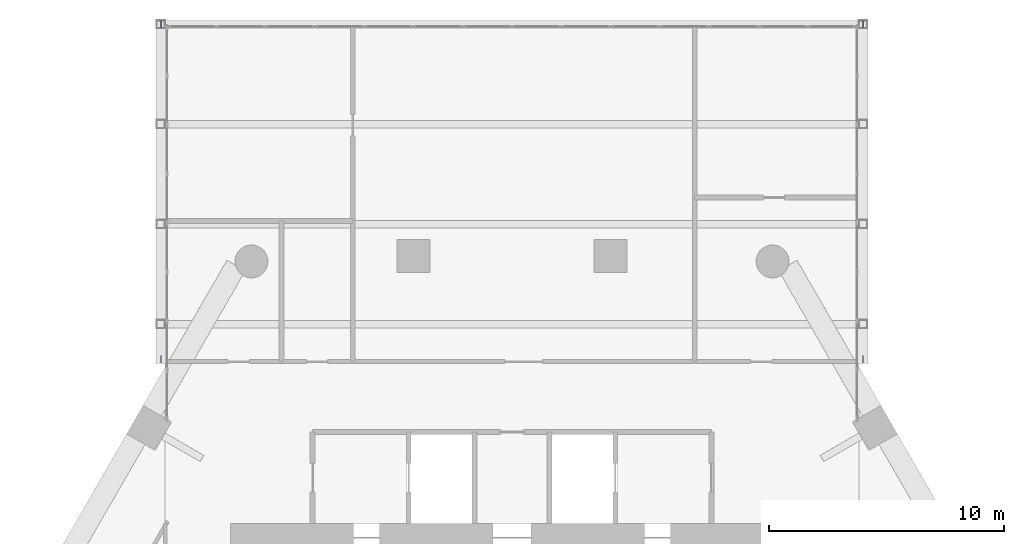
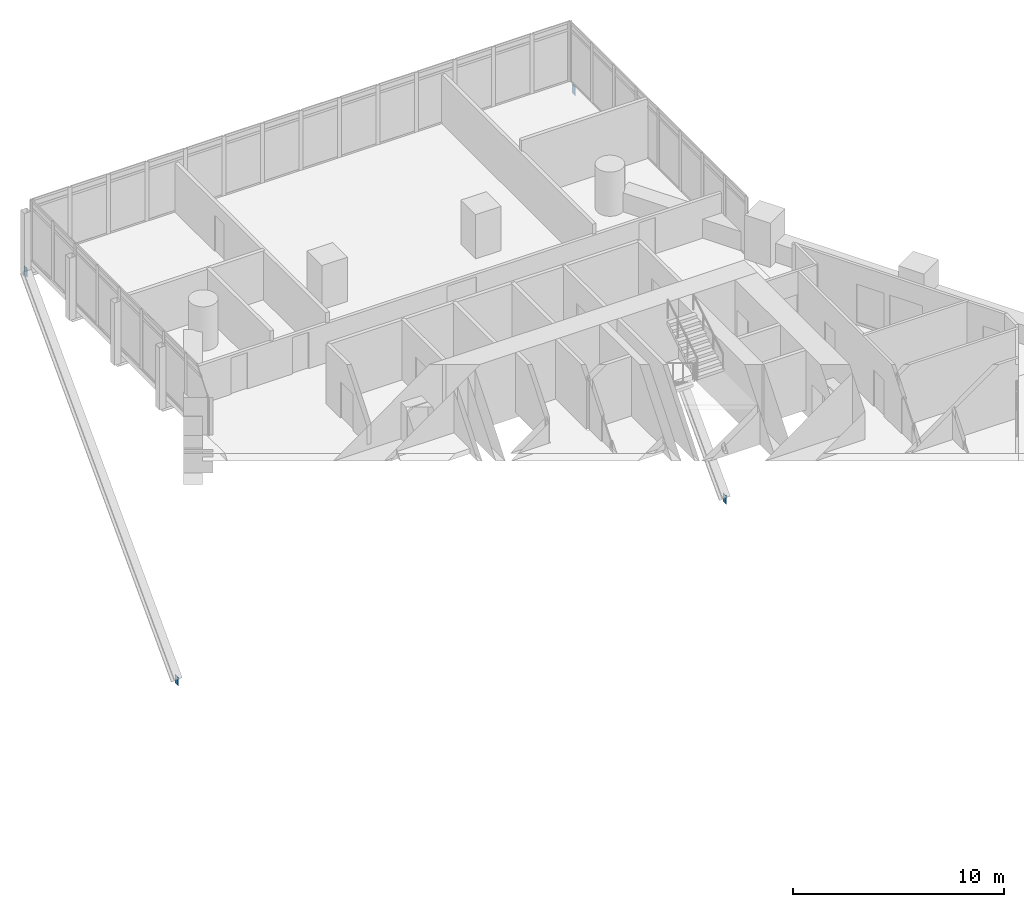
# One storey, part 37 of 38: 4 discrete accessories.
"""IFC4 building model written with IfcOpenShell, lengths in metres."""

from ifc_helpers import new_model, si_unit, direction, frame, origin, origin_2d, place, context, subcontext, project, spatial, rectangle, extrude, material, layer, layer_set, type_object, element, save


model = new_model("IFC4")

# Units and contexts
model_context = context("Model", 3, precision=1e-05, world=origin(), true_north=direction((0.0, 1.0)))
body_context = subcontext(model_context, "Body", "Model", "MODEL_VIEW")
ifc_project = project(units=[si_unit("LENGTHUNIT", "METRE"), si_unit("AREAUNIT", "SQUARE_METRE"), si_unit("VOLUMEUNIT", "CUBIC_METRE"), si_unit("PLANEANGLEUNIT", "RADIAN"), si_unit("MASSUNIT", "GRAM", prefix="KILO")], contexts=[model_context])

# Site, building, storey
site_placement = place(None, origin())
site = spatial("IfcSite", under=ifc_project, at=site_placement, CompositionType="ELEMENT")
building_placement = place(site_placement, origin())
building = spatial("IfcBuilding", under=site, at=building_placement, Name="Ostrander Bayou Hotel Tower", CompositionType="ELEMENT")
storey_placement = place(building_placement, frame((0.0, 0.0, 65.5)))
storey = spatial("IfcBuildingStorey", under=building, at=storey_placement, Name="L16", CompositionType="ELEMENT", Elevation=65.5)

# Discrete accessories
ifc_material = material(Name="Steel ASTM A572 Gr 50", Category="steel")
ifc_layer = layer(ifc_material, 0.030029296875)
ifc_layer_set = layer_set([ifc_layer], Name="GP1 gusset plate 30 mm")
discrete_accessory_type = type_object("IfcDiscreteAccessoryType", Name="GP1 gusset plate 30 mm", PredefinedType="BRACKET", material=ifc_layer_set)
for number, where, z_axis, x_axis, name in (
    (1, (-14.965087890625, 30.986083984375, -0.921875), (0.0, 0.0, 1.0), (0.0, -1.0, 0.0), "GP1 gusset plate bar 53"),
    (2, (-14.965087890625, 16.697998046875, -15.85009765625), (0.0, 0.0, 1.0), (0.0, -1.0, 0.0), "GP1 gusset plate bar 54"),
    (3, (14.965087890625, 30.986083984375, -0.921875), (0.0, 0.0, 1.0), (0.0, -1.0, 0.0), "GP1 gusset plate bar 55"),
    (4, (14.965087890625, 16.697998046875, -15.85009765625), (0.0, 0.0, 1.0), (0.0, -1.0, 0.0), "GP1 gusset plate bar 56"),
):
    element("IfcDiscreteAccessory", number, at=place(storey_placement, frame(where, z_axis=z_axis, x_axis=x_axis)), inside=storey, type_object=discrete_accessory_type, Name=name, PredefinedType="BRACKET", context=body_context, shape_type="SweptSolid", body=[
        extrude(rectangle(XDim=0.300048828125, YDim=0.030029296875, at=origin_2d()), origin(), (0.0, 0.0, 1.0), 0.5),
    ])

save(model, "model.ifc")
